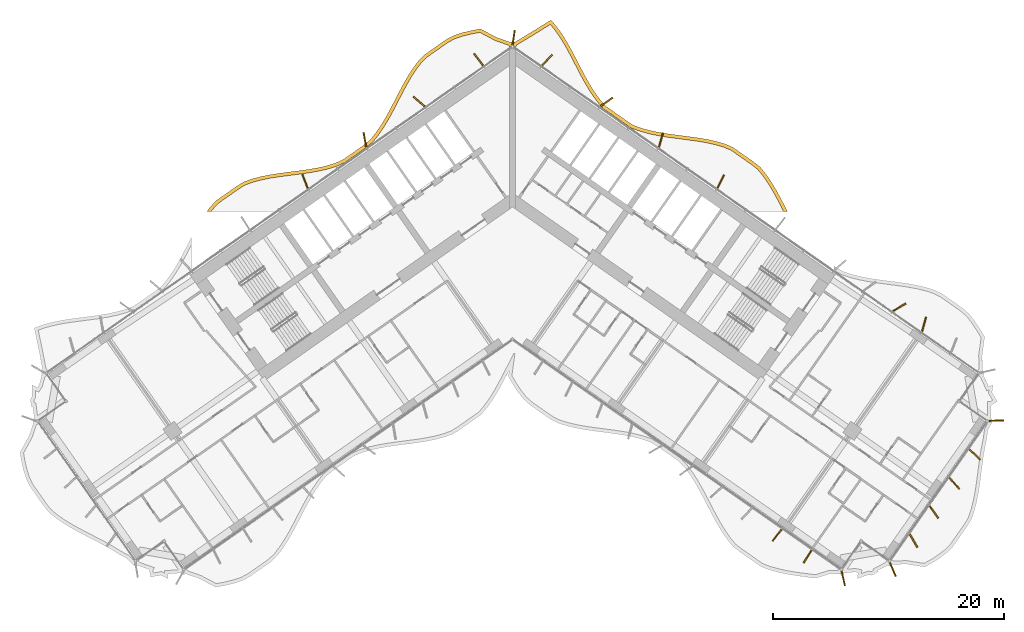
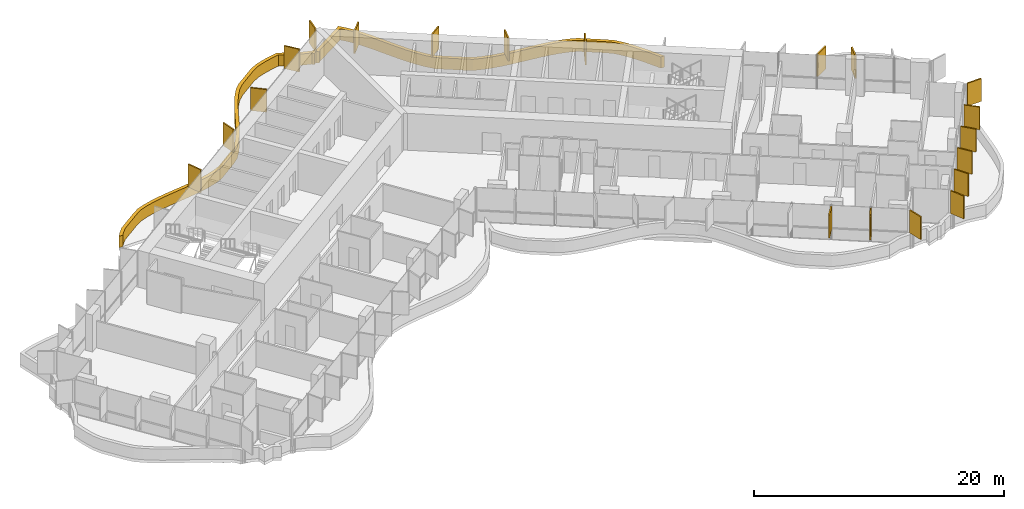
# One storey, part 22 of 23: 21 shading devices.
"""IFC4 building model written with IfcOpenShell, lengths in metres."""

from ifc_helpers import new_model, si_unit, direction, frame, origin, origin_2d, place, context, subcontext, project, spatial, polyline, rectangle, outline, extrude, material, layer, layer_set, type_object, element, save


model = new_model("IFC4")

# Units and contexts
model_context = context("Model", 3, precision=1e-05, world=origin(), true_north=direction((0.0, 1.0)))
body_context = subcontext(model_context, "Body", "Model", "MODEL_VIEW")
ifc_project = project(units=[si_unit("LENGTHUNIT", "METRE"), si_unit("AREAUNIT", "SQUARE_METRE"), si_unit("VOLUMEUNIT", "CUBIC_METRE"), si_unit("PLANEANGLEUNIT", "RADIAN"), si_unit("MASSUNIT", "GRAM", prefix="KILO")], contexts=[model_context])

# Site, building, storey
site_placement = place(None, origin())
site = spatial("IfcSite", under=ifc_project, at=site_placement, CompositionType="ELEMENT")
building_placement = place(site_placement, origin())
building = spatial("IfcBuilding", under=site, at=building_placement, Name="Tel Ilan Convention Tower", CompositionType="ELEMENT")
storey_placement = place(building_placement, frame((0.0, 0.0, 119.300048828125)))
storey = spatial("IfcBuildingStorey", under=building, at=storey_placement, Name="L26", CompositionType="ELEMENT", Elevation=119.300048828125)

# Shading devices
ifc_material_1 = material(Name="Aluminium, bronze anodised", Category="aluminium")
ifc_layer_1 = layer(ifc_material_1, 0.1201171875)
ifc_layer_set_1 = layer_set([ifc_layer_1], Name="FIN BRONZE 1300x120")
shading_device_type_1 = type_object("IfcShadingDeviceType", Name="FIN BRONZE 1300x120", PredefinedType="USERDEFINED", material=ifc_layer_set_1)
for number, where, z_axis, x_axis, name in (
    (1, (18.054931640625, 0.97119140625, 1.10009765625), (0.0, 0.0, 1.0), (0.448799180206, 0.893632640321, 0.0), "FIN"),
    (2, (12.8701171875, 4.578369140625, 1.10009765625), (0.0, 0.0, 1.0), (0.268172612768, 0.963370878614, 0.0), "FIN"),
    (3, (8.150634765625, 7.883056640625, 1.10009765625), (0.0, 0.0, 1.0), (0.813552070258, 0.581492071294, 0.0), "FIN"),
    (4, (2.98779296875, 11.521240234375, 1.10009765625), (0.0, 0.0, 1.0), (0.686241637865, 0.727373641577, 0.0), "FIN"),
    (5, (0.09423828125, 13.469482421875, 1.10009765625), (0.0, 0.0, 1.0), (0.144931859301, 0.989441638582, 0.0), "FIN"),
    (6, (-2.9365234375, 11.557373046875, 1.10009765625), (0.0, 0.0, 1.0), (-0.612600545196, 0.790392669516, 0.0), "FIN"),
    (7, (-8.1083984375, 7.927734375, 1.10009765625), (0.0, 0.0, 1.0), (-0.753435896329, 0.657521368568, 0.0), "FIN"),
    (8, (-12.811767578125, 4.5966796875, 1.10009765625), (0.0, 0.0, 1.0), (-0.173648177667, 0.984807753012, 0.0), "FIN"),
    (9, (-18.00048828125, 1.001220703125, 1.10009765625), (0.0, 0.0, 1.0), (-0.360177724803, 0.932883704733, 0.0), "FIN"),
    (10, (22.9560546875, -29.6875, 1.10009765625), (0.0, 0.0, 1.0), (-0.612600545196, -0.790392669516, 0.0), "FIN"),
    (11, (25.6025390625, -31.540771484375, 1.10009765625), (0.0, 0.0, 1.0), (-0.533204432798, -0.845986425922, 0.0), "FIN"),
    (12, (28.68994140625, -33.4423828125, 1.10009765625), (0.0, 0.0, 1.0), (0.221170268371, -0.975235208752, 0.0), "FIN"),
    (13, (32.989501953125, -32.67724609375, 1.10009765625), (0.0, 0.0, 1.0), (0.404964282034, -0.914332505315, 0.0), "FIN"),
    (14, (34.7900390625, -30.18896484375, 1.10009765625), (0.0, 0.0, 1.0), (0.5, -0.866025403784, 0.0), "FIN"),
    (15, (36.559326171875, -27.6943359375, 1.10009765625), (0.0, 0.0, 1.0), (0.581492071294, -0.813552070258, 0.0), "FIN"),
    (16, (38.32470703125, -25.194580078125, 1.10009765625), (0.0, 0.0, 1.0), (0.657521368568, -0.753435896329, 0.0), "FIN"),
    (17, (40.086181640625, -22.690185546875, 1.10009765625), (0.0, 0.0, 1.0), (0.727373641577, -0.686241637865, 0.0), "FIN"),
    (18, (41.9853515625, -19.76171875, 1.10009765625), (0.0, 0.0, 1.0), (0.999576950082, 0.029084718749, 0.0), "FIN"),
    (19, (35.702392578125, -11.408935546875, 1.10009765625), (0.0, 0.0, 1.0), (0.268172612768, 0.963370878614, 0.0), "FIN"),
    (20, (33.55712890625, -9.929443359375, 1.10009765625), (0.0, 0.0, 1.0), (0.866025403784, 0.5, 0.0), "FIN"),
):
    element("IfcShadingDevice", number, at=place(storey_placement, frame(where, z_axis=z_axis, x_axis=x_axis)), inside=storey, type_object=shading_device_type_1, Name=name, ObjectType="FIN", PredefinedType="USERDEFINED", context=body_context, shape_type="SweptSolid", body=[
        extrude(rectangle(XDim=1.300048828125, YDim=0.1201171875, at=origin_2d()), origin(), (0.0, 0.0, 1.0), 2.219970703125),
    ])
ifc_material_2 = material(Name="Aluminium, bronze anodised", Category="aluminium")
ifc_layer_2 = layer(ifc_material_2, 0.300048828125)
ifc_layer_set_2 = layer_set([ifc_layer_2], Name="LOUVRE BAND 300x1100")
shading_device_type_2 = type_object("IfcShadingDeviceType", Name="LOUVRE BAND 300x1100", PredefinedType="USERDEFINED", material=ifc_layer_set_2)
shading_device_placement = place(storey_placement, origin())
element("IfcShadingDevice", 21, at=shading_device_placement, inside=storey, type_object=shading_device_type_2, Name="LOUVRE BAND 20.02", ObjectType="LOUVRE", PredefinedType="USERDEFINED", context=body_context, shape_type="SweptSolid", body=[
    extrude(outline(polyline([(-26.25927734375, -1.2568359375), (-26.53369140625, -1.631591796875), (-26.161865234375, -1.631591796875), (-26.0263671875, -1.44677734375), (-25.550048828125, -0.921630859375), (-23.767333984375, 0.32666015625), (-23.172119140625, 0.69384765625), (-22.488037109375, 0.931884765625), (-21.74560546875, 1.12646484375), (-20.9677734375, 1.28076171875), (-20.1630859375, 1.405517578125), (-18.510009765625, 1.619140625), (-17.68115234375, 1.73583984375), (-16.864013671875, 1.8779296875), (-16.0673828125, 2.058837890625), (-15.293212890625, 2.292236328125), (-14.563232421875, 2.620849609375), (-12.711669921875, 3.91748046875), (-12.110595703125, 4.42333984375), (-11.60400390625, 5.05859375), (-11.148193359375, 5.729736328125), (-10.724853515625, 6.43798828125), (-10.325439453125, 7.1708984375), (-9.557861328125, 8.65576171875), (-9.169921875, 9.37939453125), (-8.76708984375, 10.072509765625), (-8.3408203125, 10.72265625), (-7.890380859375, 11.3125), (-7.3837890625, 11.798583984375), (-5.60009765625, 13.047607421875), (-4.982177734375, 13.37744140625), (-4.2822265625, 13.604248046875), (-3.5302734375, 13.78759765625), (-2.8408203125, 13.914306640625), (-1.48388671875, 13.200927734375), (-0.362060546875, 12.812255859375), (-0.24609375, 12.646728515625), (0.0, 12.818115234375), (0.24609375, 12.646728515625), (0.38134765625, 12.839599609375), (1.88916015625, 13.747314453125), (3.271728515625, 14.607177734375), (3.593017578125, 14.232666015625), (4.037353515625, 13.614990234375), (4.454345703125, 12.947998046875), (4.8505859375, 12.2421875), (6.0068359375, 10.025390625), (6.4140625, 9.2998046875), (6.84814453125, 8.603759765625), (7.318115234375, 7.94921875), (7.845947265625, 7.3291015625), (9.697021484375, 6.0283203125), (10.3486328125, 5.60009765625), (11.1142578125, 5.323974609375), (11.8935546875, 5.112060546875), (12.69873046875, 4.94677734375), (13.521240234375, 4.815673828125), (15.99755859375, 4.4873046875), (16.79345703125, 4.35302734375), (17.559326171875, 4.18505859375), (18.284423828125, 3.97412109375), (18.94091796875, 3.7060546875), (20.723876953125, 2.457763671875), (21.272216796875, 2.02392578125), (21.729736328125, 1.462646484375), (22.166748046875, 0.83154296875), (22.57763671875, 0.153564453125), (22.97021484375, -0.56005859375), (23.52587890625, -1.631591796875), (23.86328125, -1.631591796875), (23.23486328125, -0.41845703125), (22.837646484375, 0.303466796875), (22.418701171875, 0.99462890625), (21.9697265625, 1.64306640625), (21.484130859375, 2.239013671875), (20.903076171875, 2.698486328125), (19.08544921875, 3.97119140625), (18.38330078125, 4.2578125), (17.63330078125, 4.47607421875), (16.8505859375, 4.647705078125), (16.043212890625, 4.783935546875), (13.564697265625, 5.112548828125), (12.75244140625, 5.241943359375), (11.963134765625, 5.404052734375), (11.20458984375, 5.610107421875), (10.483642578125, 5.8701171875), (9.865478515625, 6.276611328125), (8.050048828125, 7.55224609375), (7.5546875, 8.134033203125), (7.09765625, 8.770751953125), (6.672119140625, 9.452880859375), (6.2705078125, 10.168701171875), (5.1142578125, 12.385498046875), (4.71240234375, 13.100830078125), (4.28662109375, 13.7822265625), (3.8291015625, 14.418212890625), (3.331787109375, 14.997802734375), (1.732666015625, 14.003173828125), (0.168701171875, 13.059326171875), (0.11474609375, 13.09521484375), (0.0, 13.1181640625), (-0.11474609375, 13.09521484375), (-0.168701171875, 13.059326171875), (-1.3642578125, 13.47705078125), (-2.79296875, 14.228271484375), (-3.593017578125, 14.0810546875), (-4.364013671875, 13.89306640625), (-5.099853515625, 13.654541015625), (-5.75732421875, 13.3037109375), (-7.57470703125, 12.031005859375), (-8.11474609375, 11.512939453125), (-8.585693359375, 10.896240234375), (-9.022216796875, 10.230224609375), (-9.431884765625, 9.52587890625), (-9.823486328125, 8.79541015625), (-10.59033203125, 7.311767578125), (-10.985595703125, 6.586669921875), (-11.401123046875, 5.89111328125), (-11.845703125, 5.236572265625), (-12.326416015625, 4.633544921875), (-12.89453125, 4.155517578125), (-14.712158203125, 2.8828125), (-15.398681640625, 2.573974609375), (-16.14404296875, 2.34912109375), (-16.923095703125, 2.172119140625), (-17.727783203125, 2.0322265625), (-18.5498046875, 1.91650390625), (-20.20556640625, 1.70263671875), (-21.02001953125, 1.576171875), (-21.812744140625, 1.4189453125), (-22.57568359375, 1.218994140625), (-23.301513671875, 0.96630859375), (-23.93212890625, 0.577392578125), (-25.749755859375, -0.695068359375), (-26.25927734375, -1.2568359375)])), origin(), (0.0, 0.0, 1.0), 1.099853515625),
])

save(model, "model.ifc")
